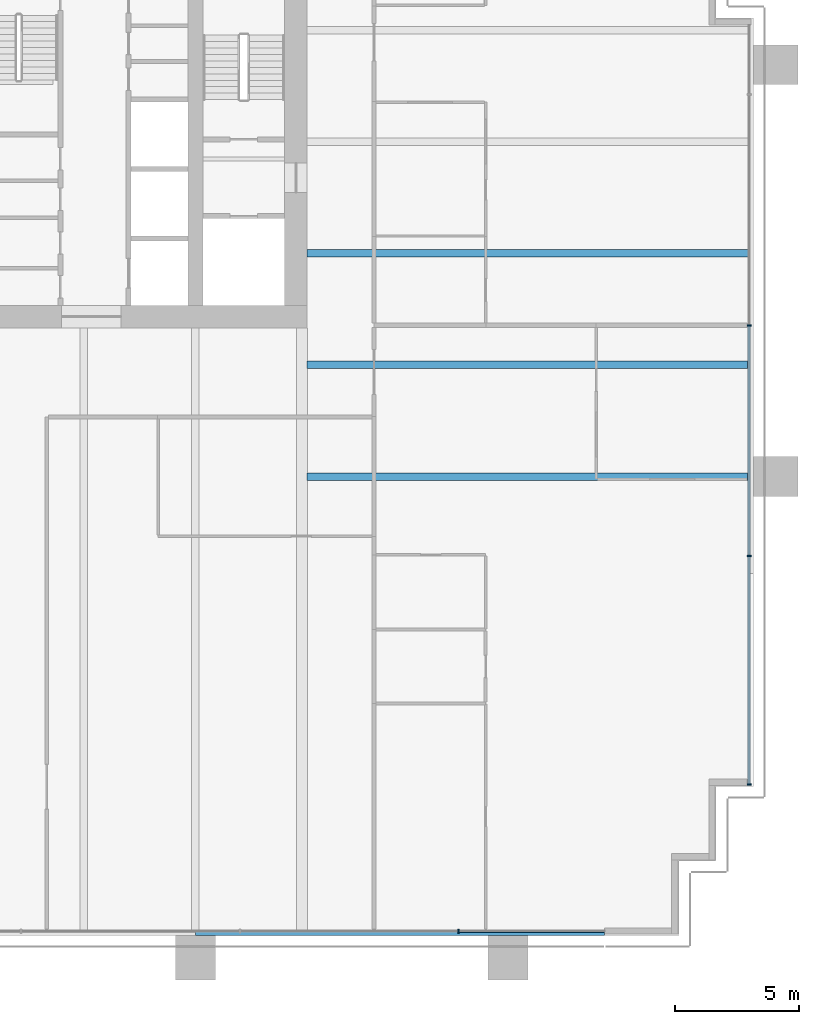
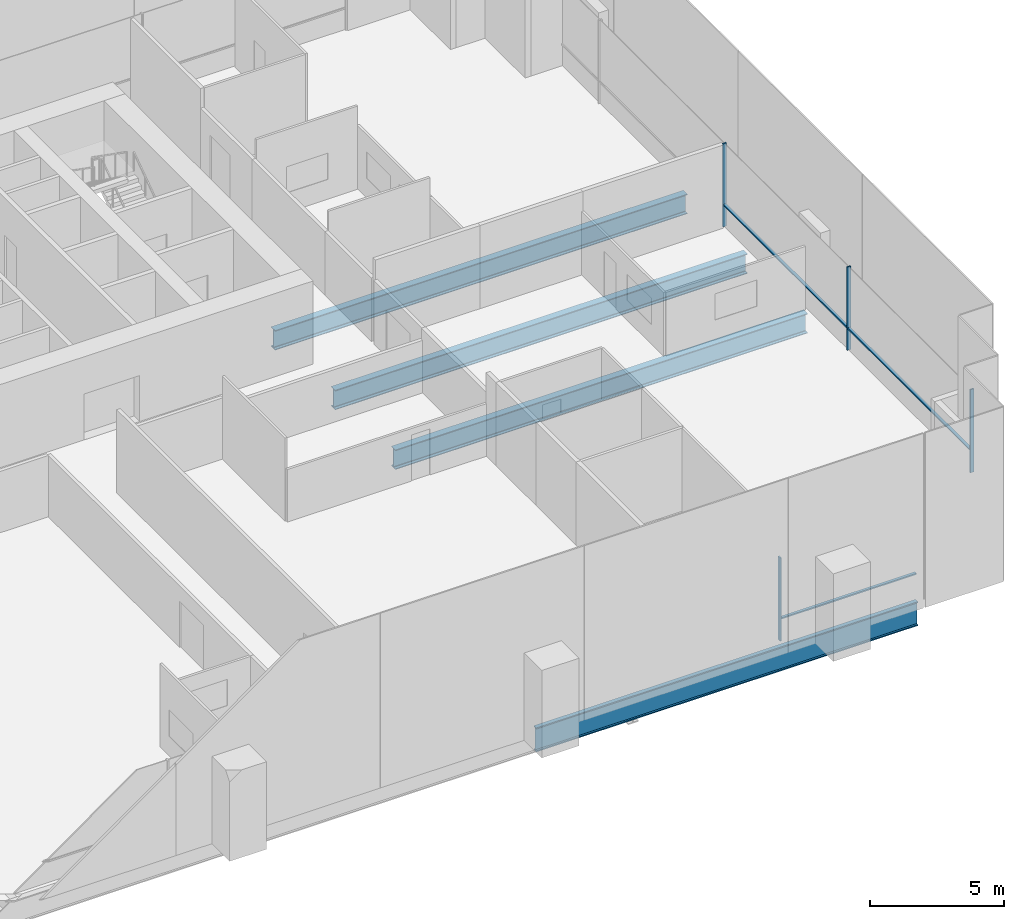
# One storey, part 6 of 19: 7 members, 4 beams, 2 elements without a shape of their own.
"""IFC4 building model written with IfcOpenShell, lengths in metres."""

from ifc_helpers import new_model, si_unit, direction, frame, origin, origin_2d, place, context, subcontext, project, spatial, rectangle, i_section, extrude, material, material_profile, profile_set, type_object, element, aggregate, save


model = new_model("IFC4")

# Units and contexts
model_context = context("Model", 3, precision=1e-05, world=origin(), true_north=direction((0.0, 1.0)))
body_context = subcontext(model_context, "Body", "Model", "MODEL_VIEW")
ifc_project = project(units=[si_unit("LENGTHUNIT", "METRE"), si_unit("AREAUNIT", "SQUARE_METRE"), si_unit("VOLUMEUNIT", "CUBIC_METRE"), si_unit("PLANEANGLEUNIT", "RADIAN"), si_unit("MASSUNIT", "GRAM", prefix="KILO")], contexts=[model_context])

# Site, building, storey
site_placement = place(None, origin())
site = spatial("IfcSite", under=ifc_project, at=site_placement, CompositionType="ELEMENT")
building_placement = place(site_placement, origin())
building = spatial("IfcBuilding", under=site, at=building_placement, Name="Rattan Terrace Tower", CompositionType="ELEMENT")
storey_placement = place(building_placement, frame((0.0, 0.0, 91.699951171875)))
storey = spatial("IfcBuildingStorey", under=building, at=storey_placement, Name="L20", CompositionType="ELEMENT", Elevation=91.699951171875)

# Curtain wall, members
ifc_material_1 = material(Name="Aluminium and glass", Category="aluminium")
curtain_wall_type = type_object("IfcCurtainWallType", Name="Facade Unitised Curtain Wall", PredefinedType="NOTDEFINED", material=ifc_material_1)
curtain_wall_1_placement = place(storey_placement, origin())
curtain_wall_1 = element("IfcCurtainWall", 1, at=curtain_wall_1_placement, inside=storey, type_object=curtain_wall_type, Name="Curtain wall L20-1", PredefinedType="NOTDEFINED")
ifc_material_2 = material(Name="Aluminium", Category="aluminium")
ifc_material_profile_1 = material_profile(ifc_material_2, rectangle(XDim=0.06005859375, YDim=0.159912109375, at=origin_2d()), Name="Aluminium 60x160")
ifc_profile_set_1 = profile_set([ifc_material_profile_1], Name="Aluminium")
member_type_1 = type_object("IfcMemberType", Name="Facade CW Mullion 60x160", PredefinedType="MULLION", material=ifc_profile_set_1)
member_1_placement = place(storey_placement, frame((35.830078125, -25.925048828125, 0.0), z_axis=(0.0, 0.0, 1.0), x_axis=(0.0, 1.0, 0.0)))
member_1 = element("IfcMember", 2, at=member_1_placement, type_object=member_type_1, Name="Mullion cwl-L20-001.1", PredefinedType="MULLION", context=body_context, shape_type="SweptSolid", body=[
    extrude(rectangle(XDim=0.06005859375, YDim=0.159912109375, at=origin_2d()), origin(), (0.0, 0.0, 1.0), 3.800048828125),
])
member_2_placement = place(storey_placement, frame((35.830078125, -16.699951171875, 0.0), z_axis=(0.0, 0.0, 1.0), x_axis=(0.0, 1.0, 0.0)))
member_2 = element("IfcMember", 3, at=member_2_placement, type_object=member_type_1, Name="Mullion cwl-L20-001.2", PredefinedType="MULLION", context=body_context, shape_type="SweptSolid", body=[
    extrude(rectangle(XDim=0.06005859375, YDim=0.159912109375, at=origin_2d()), origin(), (0.0, 0.0, 1.0), 3.800048828125),
])
member_3_placement = place(storey_placement, frame((35.830078125, -7.39990234375, 0.0), z_axis=(0.0, 0.0, 1.0), x_axis=(0.0, 1.0, 0.0)))
member_3 = element("IfcMember", 4, at=member_3_placement, type_object=member_type_1, Name="Mullion cwl-L20-001.3", PredefinedType="MULLION", context=body_context, shape_type="SweptSolid", body=[
    extrude(rectangle(XDim=0.06005859375, YDim=0.159912109375, at=origin_2d()), origin(), (0.0, 0.0, 1.0), 3.800048828125),
])

# Curtain wall, member
curtain_wall_2_placement = place(storey_placement, origin())
curtain_wall_2 = element("IfcCurtainWall", 5, at=curtain_wall_2_placement, inside=storey, type_object=curtain_wall_type, Name="Curtain wall L20-4", PredefinedType="NOTDEFINED")
member_4_placement = place(storey_placement, frame((24.114990234375, -31.830078125, 0.0), z_axis=(0.0, 0.0, 1.0), x_axis=(1.0, 0.0, 0.0)))
member_4 = element("IfcMember", 6, at=member_4_placement, type_object=member_type_1, Name="Mullion cwl-L20-004.6", PredefinedType="MULLION", context=body_context, shape_type="SweptSolid", body=[
    extrude(rectangle(XDim=0.06005859375, YDim=0.159912109375, at=origin_2d()), origin(), (0.0, 0.0, 1.0), 3.800048828125),
])

# Member
ifc_material_3 = material(Name="Aluminium", Category="aluminium")
ifc_material_profile_2 = material_profile(ifc_material_3, rectangle(XDim=0.1201171875, YDim=0.06005859375, at=origin_2d()), Name="Aluminium 120x60")
ifc_profile_set_2 = profile_set([ifc_material_profile_2], Name="Aluminium")
member_type_2 = type_object("IfcMemberType", Name="Facade CW Transom 120x60", PredefinedType="USERDEFINED", material=ifc_profile_set_2)
member_5_placement = place(storey_placement, frame((35.830078125, -25.89501953125, 1.0), z_axis=(0.0, 1.0, 0.0), x_axis=(-1.0, 0.0, 0.0)))
member_5 = element("IfcMember", 7, at=member_5_placement, type_object=member_type_2, Name="Transom cwl-L20-001.1", ObjectType="TRANSOM", PredefinedType="USERDEFINED", context=body_context, shape_type="SweptSolid", body=[
    extrude(rectangle(XDim=0.1201171875, YDim=0.06005859375, at=origin_2d()), origin(), (0.0, 0.0, 1.0), 9.1650390625),
])

member_6_placement = place(storey_placement, frame((35.830078125, -16.669921875, 1.0), z_axis=(0.0, 1.0, 0.0), x_axis=(-1.0, 0.0, 0.0)))
member_6 = element("IfcMember", 8, at=member_6_placement, type_object=member_type_2, Name="Transom cwl-L20-001.2", ObjectType="TRANSOM", PredefinedType="USERDEFINED", context=body_context, shape_type="SweptSolid", body=[
    extrude(rectangle(XDim=0.1201171875, YDim=0.06005859375, at=origin_2d()), origin(), (0.0, 0.0, 1.0), 9.239990234375),
])

aggregate(curtain_wall_1, [member_1, member_2, member_3, member_5, member_6])

member_7_placement = place(storey_placement, frame((24.14501953125, -31.830078125, 1.0), z_axis=(1.0, 0.0, 0.0), x_axis=(0.0, 1.0, 0.0)))
member_7 = element("IfcMember", 9, at=member_7_placement, type_object=member_type_2, Name="Transom cwl-L20-004.6", ObjectType="TRANSOM", PredefinedType="USERDEFINED", context=body_context, shape_type="SweptSolid", body=[
    extrude(rectangle(XDim=0.1201171875, YDim=0.06005859375, at=origin_2d()), origin(), (0.0, 0.0, 1.0), 5.85498046875),
])

aggregate(curtain_wall_2, [member_4, member_7])

# Beams
ifc_material_4 = material(Name="Steel S460", Category="steel")
ifc_material_profile_3 = material_profile(ifc_material_4, i_section(OverallWidth=0.179931640625, OverallDepth=1.10009765625, WebThickness=0.01611328125, FlangeThickness=0.050048828125, at=origin_2d()), Name="PG 1100x180-16-50")
ifc_profile_set_3 = profile_set([ifc_material_profile_3], Name="Steel S460")
beam_type_1 = type_object("IfcBeamType", Name="Frame edge girder PG 1100x180-16-50", PredefinedType="SPANDREL", material=ifc_profile_set_3)
beam_placement = place(storey_placement, frame((30.0, -31.909912109375, -0.75), z_axis=(-1.0, 0.0, 0.0), x_axis=(0.0, -1.0, 0.0)))
element("IfcBeam", 10, at=beam_placement, inside=storey, type_object=beam_type_1, Name="gdr-L20-003", PredefinedType="SPANDREL", context=body_context, shape_type="SweptSolid", body=[
    extrude(i_section(OverallWidth=0.179931640625, OverallDepth=1.10009765625, WebThickness=0.01611328125, FlangeThickness=0.050048828125, at=origin_2d()), origin(), (0.0, 0.0, 1.0), 16.5),
])
ifc_material_5 = material(Name="Steel S355", Category="steel")
ifc_material_profile_4 = material_profile(ifc_material_5, i_section(OverallWidth=0.300048828125, OverallDepth=0.89990234375, WebThickness=0.0185546875, FlangeThickness=0.034912109375, FilletRadius=0.030029296875, at=origin_2d()), Name="HE 900 B")
ifc_profile_set_4 = profile_set([ifc_material_profile_4], Name="Steel S355")
beam_type_2 = type_object("IfcBeamType", Name="Frame floor beam HE 900 B", PredefinedType="JOIST", material=ifc_profile_set_4)
for number, where, z_axis, x_axis, name in (
    (11, (18.0, -13.5, -0.64990234375), (1.0, 0.0, 0.0), (0.0, 1.0, 0.0), "bm-L20-010"),
    (12, (18.0, -9.0, -0.64990234375), (1.0, 0.0, 0.0), (0.0, 1.0, 0.0), "bm-L20-011"),
    (13, (18.0, -4.5, -0.64990234375), (1.0, 0.0, 0.0), (0.0, 1.0, 0.0), "bm-L20-013"),
):
    element("IfcBeam", number, at=place(storey_placement, frame(where, z_axis=z_axis, x_axis=x_axis)), inside=storey, type_object=beam_type_2, Name=name, PredefinedType="JOIST", context=body_context, shape_type="SweptSolid", body=[
        extrude(i_section(OverallWidth=0.300048828125, OverallDepth=0.89990234375, WebThickness=0.0185546875, FlangeThickness=0.034912109375, FilletRadius=0.030029296875, at=origin_2d()), origin(), (0.0, 0.0, 1.0), 17.820068359375),
    ])

save(model, "model.ifc")
